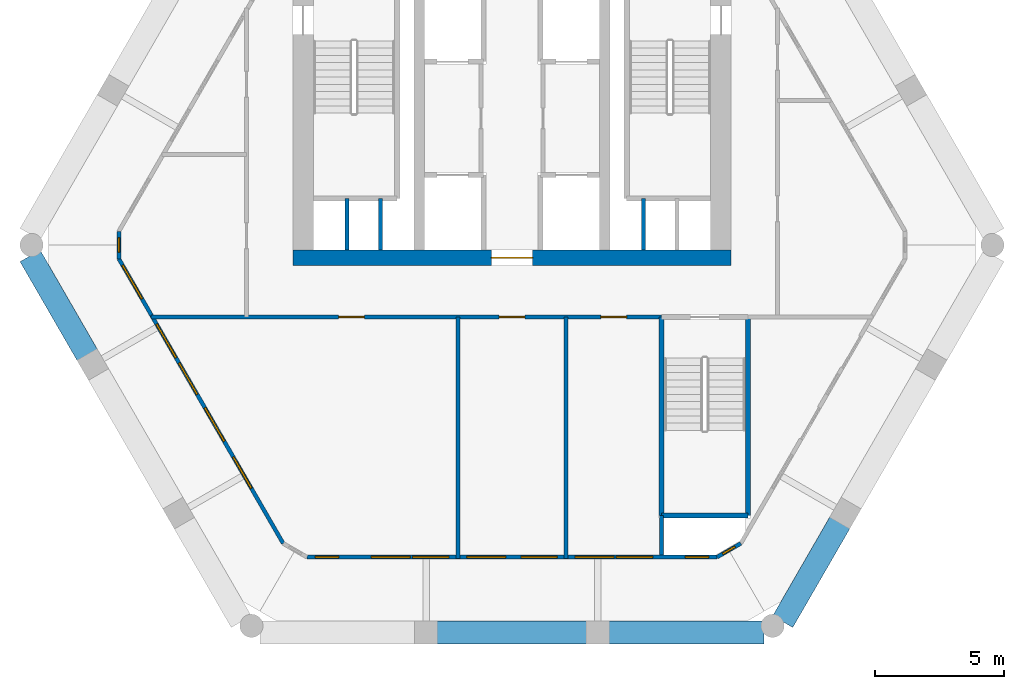
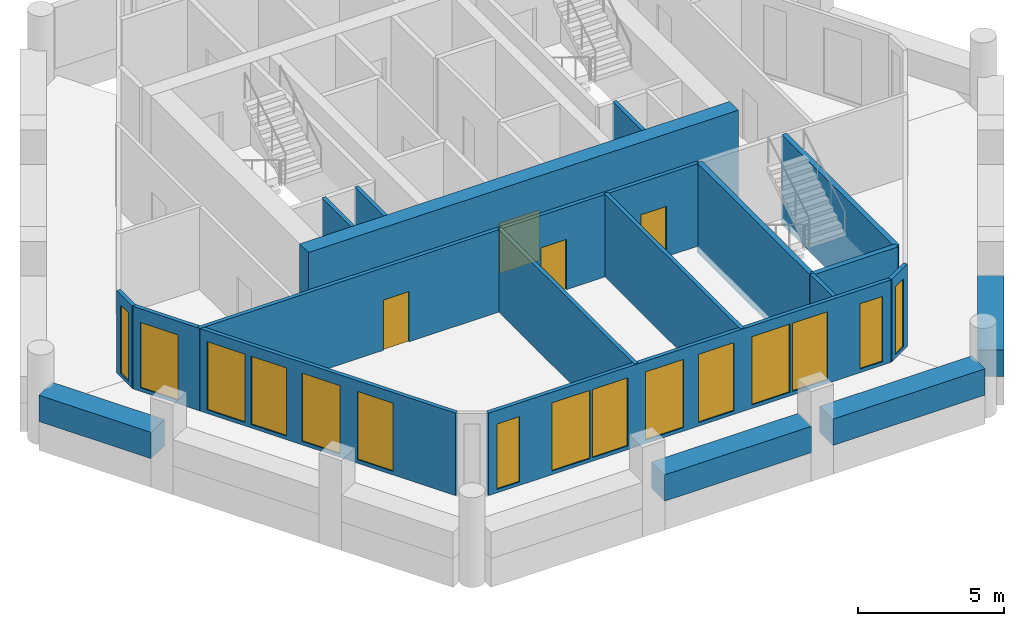
# One storey, part 2 of 6: 19 walls, 15 windows, 4 doors, 19 openings.
"""IFC4 building model written with IfcOpenShell, lengths in metres."""

from ifc_helpers import new_model, si_unit, direction, frame, frame_2d, origin, place, context, subcontext, project, spatial, rectangle, extrude, material, layer, layer_set, type_object, element, fill, save


model = new_model("IFC4")

# Units and contexts
model_context = context("Model", 3, precision=1e-05, world=origin(), true_north=direction((0.0, 1.0)))
body_context = subcontext(model_context, "Body", "Model", "MODEL_VIEW")
ifc_project = project(units=[si_unit("LENGTHUNIT", "METRE"), si_unit("AREAUNIT", "SQUARE_METRE"), si_unit("VOLUMEUNIT", "CUBIC_METRE"), si_unit("PLANEANGLEUNIT", "RADIAN"), si_unit("MASSUNIT", "GRAM", prefix="KILO")], contexts=[model_context])

# Site, building, storey
site_placement = place(None, origin())
site = spatial("IfcSite", under=ifc_project, at=site_placement, CompositionType="ELEMENT")
building_placement = place(site_placement, origin())
building = spatial("IfcBuilding", under=site, at=building_placement, Name="Ostrander Bayou Hotel Tower", CompositionType="ELEMENT")
storey_placement = place(building_placement, frame((0.0, 0.0, 263.75)))
storey = spatial("IfcBuildingStorey", under=building, at=storey_placement, Name="L65", CompositionType="ELEMENT", Elevation=263.75)

# Wall, opening, door
ifc_material_1 = material(Name="Concrete f'c 60 MPa", Category="concrete")
ifc_layer_1 = layer(ifc_material_1, 0.60009765625)
ifc_layer_set_1 = layer_set([ifc_layer_1], Name="CW10 core wall 600 mm f'c 60 MPa")
wall_type_1 = type_object("IfcWallType", Name="CW10 core wall 600 mm f'c 60 MPa", PredefinedType="SHEAR", material=ifc_layer_set_1)
wall_1_placement = place(storey_placement, frame((-8.5, -1.39990234375, -0.300048828125), z_axis=(0.0, 0.0, 1.0), x_axis=(1.0, 0.0, 0.0)))
wall_1 = element("IfcWall", 1, at=wall_1_placement, inside=storey, type_object=wall_type_1, Name="CW10 L65 S", PredefinedType="SHEAR", context=body_context, shape_type="SweptSolid", body=[
    extrude(rectangle(XDim=17.0, YDim=0.60009765625, at=frame_2d((8.5, 0.0))), origin(), (0.0, 0.0, 1.0), 3.75),
])
opening_1_placement = place(wall_1_placement, frame((7.699951171875, 0.0, 0.0)))
opening_1 = element("IfcOpeningElement", 2, at=opening_1_placement, cuts=wall_1, Name="Opening T63-005", PredefinedType="OPENING", context=body_context, shape_type="SweptSolid", body=[
    extrude(rectangle(XDim=1.60009765625, YDim=2.10009765625, at=frame_2d((0.800048828125, 1.050048828125))), frame((0.0, 0.300048828125, 0.0), z_axis=(0.0, -1.0, 0.0), x_axis=(1.0, 0.0, 0.0)), (0.0, 0.0, 1.0), 0.60009765625),
])
ifc_material_2 = material(Name="Timber door leaf", Category="wood")
door_type_1 = type_object("IfcDoorType", Name="D13 double door 1600 x 2100 mm, 1 hour", OperationType="SINGLE_SWING_LEFT", PredefinedType="DOOR", material=ifc_material_2)
door_1_placement = place(opening_1_placement, origin())
door_1 = element("IfcDoor", 3, at=door_1_placement, inside=storey, type_object=door_type_1, Name="dr:L65:005", OperationType="DOUBLE_DOOR_SINGLE_SWING", OverallHeight=2.10009765625, OverallWidth=1.60009765625, PredefinedType="DOOR", context=body_context, shape_type="SweptSolid", body=[
    extrude(rectangle(XDim=1.60009765625, YDim=2.10009765625, at=frame_2d((0.800048828125, 1.050048828125))), frame((0.0, 0.02490234375, 0.0), z_axis=(0.0, -1.0, 0.0), x_axis=(1.0, 0.0, 0.0)), (0.0, 0.0, 1.0), 0.050048828125),
])
fill(opening_1, door_1)

# Wall, openings, windows
ifc_material_3 = material(Name="Aluminium framed insulated wall", Category="aluminium")
ifc_layer_2 = layer(ifc_material_3, 0.14990234375)
ifc_layer_set_2 = layer_set([ifc_layer_2], Name="GW1 glass-line wall 150 mm")
wall_type_2 = type_object("IfcWallType", Name="GW1 glass-line wall 150 mm", PredefinedType="SOLIDWALL", material=ifc_layer_set_2)
wall_2_placement = place(storey_placement, frame((-15.245849609375, -1.443603515625, 0.0), z_axis=(0.0, 0.0, 1.0), x_axis=(0.500005990458, -0.866021945164, 0.0)))
wall_2 = element("IfcWall", 4, at=wall_2_placement, inside=storey, type_object=wall_type_2, Name="GW1 L65 SW 1", PredefinedType="SOLIDWALL", context=body_context, shape_type="SweptSolid", body=[
    extrude(rectangle(XDim=12.745361328125, YDim=0.14990234375, at=frame_2d((6.37255859375, 0.0))), origin(), (0.0, 0.0, 1.0), 3.449951171875),
])
opening_2_placement = place(wall_2_placement, frame((2.9296875, 0.0, 0.14990234375)))
opening_2 = element("IfcOpeningElement", 5, at=opening_2_placement, cuts=wall_2, Name="Opening W4", PredefinedType="OPENING", context=body_context, shape_type="SweptSolid", body=[
    extrude(rectangle(XDim=1.5, YDim=2.85009765625, at=frame_2d((0.75, 1.425048828125))), frame((0.0, 0.074951171875, 0.0), z_axis=(0.0, -1.0, 0.0), x_axis=(1.0, 0.0, 0.0)), (0.0, 0.0, 1.0), 0.14990234375),
])
opening_3_placement = place(wall_2_placement, frame((4.6728515625, 0.0, 0.14990234375)))
opening_3 = element("IfcOpeningElement", 6, at=opening_3_placement, cuts=wall_2, Name="Opening W14", PredefinedType="OPENING", context=body_context, shape_type="SweptSolid", body=[
    extrude(rectangle(XDim=1.39990234375, YDim=2.85009765625, at=frame_2d((0.699951171875, 1.425048828125))), frame((0.0, 0.074951171875, 0.0), z_axis=(0.0, -1.0, 0.0), x_axis=(1.0, 0.0, 0.0)), (0.0, 0.0, 1.0), 0.14990234375),
])
opening_4_placement = place(wall_2_placement, frame((6.6728515625, 0.0, 0.14990234375)))
opening_4 = element("IfcOpeningElement", 7, at=opening_4_placement, cuts=wall_2, Name="Opening W4", PredefinedType="OPENING", context=body_context, shape_type="SweptSolid", body=[
    extrude(rectangle(XDim=1.5, YDim=2.85009765625, at=frame_2d((0.75, 1.425048828125))), frame((0.0, 0.074951171875, 0.0), z_axis=(0.0, -1.0, 0.0), x_axis=(1.0, 0.0, 0.0)), (0.0, 0.0, 1.0), 0.14990234375),
])
opening_5_placement = place(wall_2_placement, frame((8.872802734375, 0.0, 0.14990234375)))
opening_5 = element("IfcOpeningElement", 8, at=opening_5_placement, cuts=wall_2, Name="Opening W14", PredefinedType="OPENING", context=body_context, shape_type="SweptSolid", body=[
    extrude(rectangle(XDim=1.39990234375, YDim=2.85009765625, at=frame_2d((0.699951171875, 1.425048828125))), frame((0.0, 0.074951171875, 0.0), z_axis=(0.0, -1.0, 0.0), x_axis=(1.0, 0.0, 0.0)), (0.0, 0.0, 1.0), 0.14990234375),
])
opening_6_placement = place(wall_2_placement, frame((0.286376953125, 0.0, 0.14990234375)))
opening_6 = element("IfcOpeningElement", 9, at=opening_6_placement, cuts=wall_2, Name="Opening W4", PredefinedType="OPENING", context=body_context, shape_type="SweptSolid", body=[
    extrude(rectangle(XDim=1.5, YDim=2.72998046875, at=frame_2d((0.75, 1.364990234375))), frame((0.0, 0.074951171875, 0.0), z_axis=(0.0, -1.0, 0.0), x_axis=(1.0, 0.0, 0.0)), (0.0, 0.0, 1.0), 0.14990234375),
])
ifc_material_4 = material(Name="Aluminium and clear glass", Category="aluminium")
window_type_1 = type_object("IfcWindowType", Name="W14 fixed window 1400 mm, bath bay, zone 4", PartitioningType="SINGLE_PANEL", PredefinedType="WINDOW", material=ifc_material_4)
window_1_placement = place(opening_3_placement, origin())
window_1 = element("IfcWindow", 10, at=window_1_placement, inside=storey, type_object=window_type_1, Name="W14 L65 SW 1", OverallHeight=2.85009765625, OverallWidth=1.39990234375, PartitioningType="SINGLE_PANEL", PredefinedType="WINDOW", context=body_context, shape_type="SweptSolid", body=[
    extrude(rectangle(XDim=1.39990234375, YDim=2.85009765625, at=frame_2d((0.699951171875, 1.425048828125))), frame((0.0, 0.030029296875, 0.0), z_axis=(0.0, -1.0, 0.0), x_axis=(1.0, 0.0, 0.0)), (0.0, 0.0, 1.0), 0.06005859375),
])
fill(opening_3, window_1)
window_2_placement = place(opening_5_placement, origin())
window_2 = element("IfcWindow", 11, at=window_2_placement, inside=storey, type_object=window_type_1, Name="W14 L65 SW 2", OverallHeight=2.85009765625, OverallWidth=1.39990234375, PartitioningType="SINGLE_PANEL", PredefinedType="WINDOW", context=body_context, shape_type="SweptSolid", body=[
    extrude(rectangle(XDim=1.39990234375, YDim=2.85009765625, at=frame_2d((0.699951171875, 1.425048828125))), frame((0.0, 0.030029296875, 0.0), z_axis=(0.0, -1.0, 0.0), x_axis=(1.0, 0.0, 0.0)), (0.0, 0.0, 1.0), 0.06005859375),
])
fill(opening_5, window_2)
ifc_material_5 = material(Name="Aluminium and clear glass", Category="aluminium")
window_type_2 = type_object("IfcWindowType", Name="W4 fixed window 1500 mm, zone 4", PartitioningType="SINGLE_PANEL", PredefinedType="WINDOW", material=ifc_material_5)
window_3_placement = place(opening_2_placement, origin())
window_3 = element("IfcWindow", 12, at=window_3_placement, inside=storey, type_object=window_type_2, Name="W4 L65 SW 1", OverallHeight=2.85009765625, OverallWidth=1.5, PartitioningType="SINGLE_PANEL", PredefinedType="WINDOW", context=body_context, shape_type="SweptSolid", body=[
    extrude(rectangle(XDim=1.5, YDim=2.85009765625, at=frame_2d((0.75, 1.425048828125))), frame((0.0, 0.030029296875, 0.0), z_axis=(0.0, -1.0, 0.0), x_axis=(1.0, 0.0, 0.0)), (0.0, 0.0, 1.0), 0.06005859375),
])
fill(opening_2, window_3)
window_4_placement = place(opening_4_placement, origin())
window_4 = element("IfcWindow", 13, at=window_4_placement, inside=storey, type_object=window_type_2, Name="W4 L65 SW 2", OverallHeight=2.85009765625, OverallWidth=1.5, PartitioningType="SINGLE_PANEL", PredefinedType="WINDOW", context=body_context, shape_type="SweptSolid", body=[
    extrude(rectangle(XDim=1.5, YDim=2.85009765625, at=frame_2d((0.75, 1.425048828125))), frame((0.0, 0.030029296875, 0.0), z_axis=(0.0, -1.0, 0.0), x_axis=(1.0, 0.0, 0.0)), (0.0, 0.0, 1.0), 0.06005859375),
])
fill(opening_4, window_4)
window_5_placement = place(opening_6_placement, origin())
window_5 = element("IfcWindow", 14, at=window_5_placement, inside=storey, type_object=window_type_2, Name="W4 L65 SW E11", OverallHeight=2.72998046875, OverallWidth=1.5, PartitioningType="SINGLE_PANEL", PredefinedType="WINDOW", context=body_context, shape_type="SweptSolid", body=[
    extrude(rectangle(XDim=1.5, YDim=2.72998046875, at=frame_2d((0.75, 1.364990234375))), frame((0.0, 0.030029296875, 0.0), z_axis=(0.0, -1.0, 0.0), x_axis=(1.0, 0.0, 0.0)), (0.0, 0.0, 1.0), 0.06005859375),
])
fill(opening_6, window_5)

wall_3_placement = place(storey_placement, frame((-7.95068359375, -13.013916015625, 0.0), z_axis=(0.0, 0.0, 1.0), x_axis=(1.0, 0.0, 0.0)))
wall_3 = element("IfcWall", 15, at=wall_3_placement, inside=storey, type_object=wall_type_2, Name="GW1 L65 S 1", PredefinedType="SOLIDWALL", context=body_context, shape_type="SweptSolid", body=[
    extrude(rectangle(XDim=15.9013671875, YDim=0.14990234375, at=frame_2d((7.95068359375, 0.0))), origin(), (0.0, 0.0, 1.0), 3.449951171875),
])
opening_7_placement = place(wall_3_placement, frame((2.500732421875, 0.0, 0.14990234375)))
opening_7 = element("IfcOpeningElement", 16, at=opening_7_placement, cuts=wall_3, Name="Opening W4", PredefinedType="OPENING", context=body_context, shape_type="SweptSolid", body=[
    extrude(rectangle(XDim=1.5, YDim=2.85009765625, at=frame_2d((0.75, 1.425048828125))), frame((0.0, 0.074951171875, 0.0), z_axis=(0.0, -1.0, 0.0), x_axis=(1.0, 0.0, 0.0)), (0.0, 0.0, 1.0), 0.14990234375),
])
opening_8_placement = place(wall_3_placement, frame((4.1005859375, 0.0, 0.14990234375)))
opening_8 = element("IfcOpeningElement", 17, at=opening_8_placement, cuts=wall_3, Name="Opening W14", PredefinedType="OPENING", context=body_context, shape_type="SweptSolid", body=[
    extrude(rectangle(XDim=1.39990234375, YDim=2.85009765625, at=frame_2d((0.699951171875, 1.425048828125))), frame((0.0, 0.074951171875, 0.0), z_axis=(0.0, -1.0, 0.0), x_axis=(1.0, 0.0, 0.0)), (0.0, 0.0, 1.0), 0.14990234375),
])
opening_9_placement = place(wall_3_placement, frame((6.20068359375, 0.0, 0.14990234375)))
opening_9 = element("IfcOpeningElement", 18, at=opening_9_placement, cuts=wall_3, Name="Opening W4", PredefinedType="OPENING", context=body_context, shape_type="SweptSolid", body=[
    extrude(rectangle(XDim=1.5, YDim=2.85009765625, at=frame_2d((0.75, 1.425048828125))), frame((0.0, 0.074951171875, 0.0), z_axis=(0.0, -1.0, 0.0), x_axis=(1.0, 0.0, 0.0)), (0.0, 0.0, 1.0), 0.14990234375),
])
opening_10_placement = place(wall_3_placement, frame((8.30078125, 0.0, 0.14990234375)))
opening_10 = element("IfcOpeningElement", 19, at=opening_10_placement, cuts=wall_3, Name="Opening W14", PredefinedType="OPENING", context=body_context, shape_type="SweptSolid", body=[
    extrude(rectangle(XDim=1.39990234375, YDim=2.85009765625, at=frame_2d((0.699951171875, 1.425048828125))), frame((0.0, 0.074951171875, 0.0), z_axis=(0.0, -1.0, 0.0), x_axis=(1.0, 0.0, 0.0)), (0.0, 0.0, 1.0), 0.14990234375),
])
opening_11_placement = place(wall_3_placement, frame((10.400634765625, 0.0, 0.14990234375)))
opening_11 = element("IfcOpeningElement", 20, at=opening_11_placement, cuts=wall_3, Name="Opening W4", PredefinedType="OPENING", context=body_context, shape_type="SweptSolid", body=[
    extrude(rectangle(XDim=1.5, YDim=2.85009765625, at=frame_2d((0.75, 1.425048828125))), frame((0.0, 0.074951171875, 0.0), z_axis=(0.0, -1.0, 0.0), x_axis=(1.0, 0.0, 0.0)), (0.0, 0.0, 1.0), 0.14990234375),
])
opening_12_placement = place(wall_3_placement, frame((12.000732421875, 0.0, 0.14990234375)))
opening_12 = element("IfcOpeningElement", 21, at=opening_12_placement, cuts=wall_3, Name="Opening W14", PredefinedType="OPENING", context=body_context, shape_type="SweptSolid", body=[
    extrude(rectangle(XDim=1.39990234375, YDim=2.85009765625, at=frame_2d((0.699951171875, 1.425048828125))), frame((0.0, 0.074951171875, 0.0), z_axis=(0.0, -1.0, 0.0), x_axis=(1.0, 0.0, 0.0)), (0.0, 0.0, 1.0), 0.14990234375),
])
opening_13_placement = place(wall_3_placement, frame((0.3251953125, 0.0, 0.14990234375)))
opening_13 = element("IfcOpeningElement", 22, at=opening_13_placement, cuts=wall_3, Name="Opening W18", PredefinedType="OPENING", context=body_context, shape_type="SweptSolid", body=[
    extrude(rectangle(XDim=0.89990234375, YDim=2.72998046875, at=frame_2d((0.449951171875, 1.364990234375))), frame((0.0, 0.074951171875, 0.0), z_axis=(0.0, -1.0, 0.0), x_axis=(1.0, 0.0, 0.0)), (0.0, 0.0, 1.0), 0.14990234375),
])
opening_14_placement = place(wall_3_placement, frame((14.676025390625, 0.0, 0.14990234375)))
opening_14 = element("IfcOpeningElement", 23, at=opening_14_placement, cuts=wall_3, Name="Opening W18", PredefinedType="OPENING", context=body_context, shape_type="SweptSolid", body=[
    extrude(rectangle(XDim=0.89990234375, YDim=2.72998046875, at=frame_2d((0.449951171875, 1.364990234375))), frame((0.0, 0.074951171875, 0.0), z_axis=(0.0, -1.0, 0.0), x_axis=(1.0, 0.0, 0.0)), (0.0, 0.0, 1.0), 0.14990234375),
])
window_6_placement = place(opening_8_placement, origin())
window_6 = element("IfcWindow", 24, at=window_6_placement, inside=storey, type_object=window_type_1, Name="W14 L65 S 1", OverallHeight=2.85009765625, OverallWidth=1.39990234375, PartitioningType="SINGLE_PANEL", PredefinedType="WINDOW", context=body_context, shape_type="SweptSolid", body=[
    extrude(rectangle(XDim=1.39990234375, YDim=2.85009765625, at=frame_2d((0.699951171875, 1.425048828125))), frame((0.0, 0.030029296875, 0.0), z_axis=(0.0, -1.0, 0.0), x_axis=(1.0, 0.0, 0.0)), (0.0, 0.0, 1.0), 0.06005859375),
])
fill(opening_8, window_6)
window_7_placement = place(opening_10_placement, origin())
window_7 = element("IfcWindow", 25, at=window_7_placement, inside=storey, type_object=window_type_1, Name="W14 L65 S 2", OverallHeight=2.85009765625, OverallWidth=1.39990234375, PartitioningType="SINGLE_PANEL", PredefinedType="WINDOW", context=body_context, shape_type="SweptSolid", body=[
    extrude(rectangle(XDim=1.39990234375, YDim=2.85009765625, at=frame_2d((0.699951171875, 1.425048828125))), frame((0.0, 0.030029296875, 0.0), z_axis=(0.0, -1.0, 0.0), x_axis=(1.0, 0.0, 0.0)), (0.0, 0.0, 1.0), 0.06005859375),
])
fill(opening_10, window_7)
window_8_placement = place(opening_12_placement, origin())
window_8 = element("IfcWindow", 26, at=window_8_placement, inside=storey, type_object=window_type_1, Name="W14 L65 S 3", OverallHeight=2.85009765625, OverallWidth=1.39990234375, PartitioningType="SINGLE_PANEL", PredefinedType="WINDOW", context=body_context, shape_type="SweptSolid", body=[
    extrude(rectangle(XDim=1.39990234375, YDim=2.85009765625, at=frame_2d((0.699951171875, 1.425048828125))), frame((0.0, 0.030029296875, 0.0), z_axis=(0.0, -1.0, 0.0), x_axis=(1.0, 0.0, 0.0)), (0.0, 0.0, 1.0), 0.06005859375),
])
fill(opening_12, window_8)
ifc_material_6 = material(Name="Aluminium and clear glass", Category="aluminium")
window_type_3 = type_object("IfcWindowType", Name="W18 window 900 mm, zone 4", PartitioningType="SINGLE_PANEL", PredefinedType="WINDOW", material=ifc_material_6)
window_9_placement = place(opening_13_placement, origin())
window_9 = element("IfcWindow", 27, at=window_9_placement, inside=storey, type_object=window_type_3, Name="W18 L65 S E11", OverallHeight=2.72998046875, OverallWidth=0.89990234375, PartitioningType="SINGLE_PANEL", PredefinedType="WINDOW", context=body_context, shape_type="SweptSolid", body=[
    extrude(rectangle(XDim=0.89990234375, YDim=2.72998046875, at=frame_2d((0.449951171875, 1.364990234375))), frame((0.0, 0.030029296875, 0.0), z_axis=(0.0, -1.0, 0.0), x_axis=(1.0, 0.0, 0.0)), (0.0, 0.0, 1.0), 0.06005859375),
])
fill(opening_13, window_9)
window_10_placement = place(opening_14_placement, origin())
window_10 = element("IfcWindow", 28, at=window_10_placement, inside=storey, type_object=window_type_3, Name="W18 L65 S E21", OverallHeight=2.72998046875, OverallWidth=0.89990234375, PartitioningType="SINGLE_PANEL", PredefinedType="WINDOW", context=body_context, shape_type="SweptSolid", body=[
    extrude(rectangle(XDim=0.89990234375, YDim=2.72998046875, at=frame_2d((0.449951171875, 1.364990234375))), frame((0.0, 0.030029296875, 0.0), z_axis=(0.0, -1.0, 0.0), x_axis=(1.0, 0.0, 0.0)), (0.0, 0.0, 1.0), 0.06005859375),
])
fill(opening_14, window_10)
window_11_placement = place(opening_7_placement, origin())
window_11 = element("IfcWindow", 29, at=window_11_placement, inside=storey, type_object=window_type_2, Name="W4 L65 S 1", OverallHeight=2.85009765625, OverallWidth=1.5, PartitioningType="SINGLE_PANEL", PredefinedType="WINDOW", context=body_context, shape_type="SweptSolid", body=[
    extrude(rectangle(XDim=1.5, YDim=2.85009765625, at=frame_2d((0.75, 1.425048828125))), frame((0.0, 0.030029296875, 0.0), z_axis=(0.0, -1.0, 0.0), x_axis=(1.0, 0.0, 0.0)), (0.0, 0.0, 1.0), 0.06005859375),
])
fill(opening_7, window_11)
window_12_placement = place(opening_9_placement, origin())
window_12 = element("IfcWindow", 30, at=window_12_placement, inside=storey, type_object=window_type_2, Name="W4 L65 S 2", OverallHeight=2.85009765625, OverallWidth=1.5, PartitioningType="SINGLE_PANEL", PredefinedType="WINDOW", context=body_context, shape_type="SweptSolid", body=[
    extrude(rectangle(XDim=1.5, YDim=2.85009765625, at=frame_2d((0.75, 1.425048828125))), frame((0.0, 0.030029296875, 0.0), z_axis=(0.0, -1.0, 0.0), x_axis=(1.0, 0.0, 0.0)), (0.0, 0.0, 1.0), 0.06005859375),
])
fill(opening_9, window_12)
window_13_placement = place(opening_11_placement, origin())
window_13 = element("IfcWindow", 31, at=window_13_placement, inside=storey, type_object=window_type_2, Name="W4 L65 S 3", OverallHeight=2.85009765625, OverallWidth=1.5, PartitioningType="SINGLE_PANEL", PredefinedType="WINDOW", context=body_context, shape_type="SweptSolid", body=[
    extrude(rectangle(XDim=1.5, YDim=2.85009765625, at=frame_2d((0.75, 1.425048828125))), frame((0.0, 0.030029296875, 0.0), z_axis=(0.0, -1.0, 0.0), x_axis=(1.0, 0.0, 0.0)), (0.0, 0.0, 1.0), 0.06005859375),
])
fill(opening_11, window_13)

# Wall, opening, window
wall_4_placement = place(storey_placement, frame((-15.245849609375, -0.37841796875, 0.0), z_axis=(0.0, 0.0, 1.0), x_axis=(0.0, -1.0, 0.0)))
wall_4 = element("IfcWall", 32, at=wall_4_placement, inside=storey, type_object=wall_type_2, Name="GW1 L65 corner 2", PredefinedType="SOLIDWALL", context=body_context, shape_type="SweptSolid", body=[
    extrude(rectangle(XDim=1.065185546875, YDim=0.14990234375, at=frame_2d((0.53271484375, 0.0))), origin(), (0.0, 0.0, 1.0), 3.449951171875),
])
opening_15_placement = place(wall_4_placement, frame((0.257568359375, 0.0, 0.14990234375)))
opening_15 = element("IfcOpeningElement", 33, at=opening_15_placement, cuts=wall_4, Name="Opening W19", PredefinedType="OPENING", context=body_context, shape_type="SweptSolid", body=[
    extrude(rectangle(XDim=0.550048828125, YDim=2.85009765625, at=frame_2d((0.27490234375, 1.425048828125))), frame((0.0, 0.074951171875, 0.0), z_axis=(0.0, -1.0, 0.0), x_axis=(1.0, 0.0, 0.0)), (0.0, 0.0, 1.0), 0.14990234375),
])
ifc_material_7 = material(Name="Aluminium and clear glass", Category="aluminium")
window_type_4 = type_object("IfcWindowType", Name="W19 corner window 550 mm", PartitioningType="SINGLE_PANEL", PredefinedType="WINDOW", material=ifc_material_7)
window_14_placement = place(opening_15_placement, origin())
window_14 = element("IfcWindow", 34, at=window_14_placement, inside=storey, type_object=window_type_4, Name="W19 L65 corner 2", OverallHeight=2.85009765625, OverallWidth=0.550048828125, PartitioningType="SINGLE_PANEL", PredefinedType="WINDOW", context=body_context, shape_type="SweptSolid", body=[
    extrude(rectangle(XDim=0.550048828125, YDim=2.85009765625, at=frame_2d((0.27490234375, 1.425048828125))), frame((0.0, 0.030029296875, 0.0), z_axis=(0.0, -1.0, 0.0), x_axis=(1.0, 0.0, 0.0)), (0.0, 0.0, 1.0), 0.06005859375),
])
fill(opening_15, window_14)

wall_5_placement = place(storey_placement, frame((7.95068359375, -13.013916015625, 0.0), z_axis=(0.0, 0.0, 1.0), x_axis=(0.866048165231, 0.499960573946, 0.0)))
wall_5 = element("IfcWall", 35, at=wall_5_placement, inside=storey, type_object=wall_type_2, Name="GW1 L65 corner 4", PredefinedType="SOLIDWALL", context=body_context, shape_type="SweptSolid", body=[
    extrude(rectangle(XDim=1.06494140625, YDim=0.14990234375, at=frame_2d((0.532470703125, 0.0))), origin(), (0.0, 0.0, 1.0), 3.449951171875),
])
opening_16_placement = place(wall_5_placement, frame((0.257568359375, 0.0, 0.14990234375)))
opening_16 = element("IfcOpeningElement", 36, at=opening_16_placement, cuts=wall_5, Name="Opening W19", PredefinedType="OPENING", context=body_context, shape_type="SweptSolid", body=[
    extrude(rectangle(XDim=0.550048828125, YDim=2.85009765625, at=frame_2d((0.27490234375, 1.425048828125))), frame((0.0, 0.074951171875, 0.0), z_axis=(0.0, -1.0, 0.0), x_axis=(1.0, 0.0, 0.0)), (0.0, 0.0, 1.0), 0.14990234375),
])
window_15_placement = place(opening_16_placement, origin())
window_15 = element("IfcWindow", 37, at=window_15_placement, inside=storey, type_object=window_type_4, Name="W19 L65 corner 4", OverallHeight=2.85009765625, OverallWidth=0.550048828125, PartitioningType="SINGLE_PANEL", PredefinedType="WINDOW", context=body_context, shape_type="SweptSolid", body=[
    extrude(rectangle(XDim=0.550048828125, YDim=2.85009765625, at=frame_2d((0.27490234375, 1.425048828125))), frame((0.0, 0.030029296875, 0.0), z_axis=(0.0, -1.0, 0.0), x_axis=(1.0, 0.0, 0.0)), (0.0, 0.0, 1.0), 0.06005859375),
])
fill(opening_16, window_15)

# Walls
ifc_material_8 = material(Name="Concrete f'c 40 MPa", Category="concrete")
ifc_layer_3 = layer(ifc_material_8, 0.89990234375)
ifc_layer_set_3 = layer_set([ifc_layer_3], Name="PA1 stone-faced parapet 900 mm")
wall_type_3 = type_object("IfcWallType", Name="PA1 stone-faced parapet 900 mm", PredefinedType="PARAPET", material=ifc_layer_set_3)
wall_6_placement = place(storey_placement, frame((-2.909423828125, -15.93896484375, 0.0), z_axis=(0.0, 0.0, 1.0), x_axis=(1.0, 0.0, 0.0)))
element("IfcWall", 38, at=wall_6_placement, inside=storey, type_object=wall_type_3, Name="PA1 L65 S-2", PredefinedType="PARAPET", context=body_context, shape_type="SweptSolid", body=[
    extrude(rectangle(XDim=5.81884765625, YDim=0.89990234375, at=frame_2d((2.909423828125, 0.0))), origin(), (0.0, 0.0, 1.0), 1.10009765625),
])
wall_7_placement = place(storey_placement, frame((3.74951171875, -15.93896484375, 0.0), z_axis=(0.0, 0.0, 1.0), x_axis=(1.0, 0.0, 0.0)))
element("IfcWall", 39, at=wall_7_placement, inside=storey, type_object=wall_type_3, Name="PA1 L65 S-3", PredefinedType="PARAPET", context=body_context, shape_type="SweptSolid", body=[
    extrude(rectangle(XDim=6.017578125, YDim=0.89990234375, at=frame_2d((3.0087890625, 0.0))), origin(), (0.0, 0.0, 1.0), 1.10009765625),
])
ifc_material_9 = material(Name="Limestone masonry", Category="masonry")
ifc_layer_4 = layer(ifc_material_9, 0.89990234375)
ifc_layer_set_4 = layer_set([ifc_layer_4], Name="PA2 limestone parapet 900 mm")
wall_type_4 = type_object("IfcWallType", Name="PA2 limestone parapet 900 mm", PredefinedType="PARAPET", material=ifc_layer_set_4)
wall_8_placement = place(storey_placement, frame((-18.68701171875, -1.3330078125, 0.0), z_axis=(0.0, 0.0, 1.0), x_axis=(0.499971567444, -0.866041818706, 0.0)))
element("IfcWall", 40, at=wall_8_placement, inside=storey, type_object=wall_type_4, Name="PA2 L65 SW-1", PredefinedType="PARAPET", context=body_context, shape_type="SweptSolid", body=[
    extrude(rectangle(XDim=4.439697265625, YDim=0.89990234375, at=frame_2d((2.2197265625, 0.0))), origin(), (0.0, 0.0, 1.0), 1.10009765625),
])
wall_9_placement = place(storey_placement, frame((10.497802734375, -15.51708984375, 0.0), z_axis=(0.0, 0.0, 1.0), x_axis=(0.500012810012, 0.866018007794, 0.0)))
element("IfcWall", 41, at=wall_9_placement, inside=storey, type_object=wall_type_4, Name="PA2 L65 SE-1", PredefinedType="PARAPET", context=body_context, shape_type="SweptSolid", body=[
    extrude(rectangle(XDim=4.43994140625, YDim=0.89990234375, at=frame_2d((2.219970703125, 0.0))), origin(), (0.0, 0.0, 1.0), 1.10009765625),
])
ifc_material_10 = material(Name="Gypsum board partition", Category="finish")
ifc_layer_5 = layer(ifc_material_10, 0.14990234375)
ifc_layer_set_5 = layer_set([ifc_layer_5], Name="PT7 riser wall 150 mm, 2 hour")
wall_type_5 = type_object("IfcWallType", Name="PT7 riser wall 150 mm, 2 hour", PredefinedType="PARTITIONING", material=ifc_layer_set_5)
for number, where, z_axis, x_axis, name in (
    (42, (-6.39990234375, -1.10009765625, 0.0), (0.0, 0.0, 1.0), (0.0, 1.0, 0.0), "cs:L65:011"),
    (43, (-5.10009765625, -1.10009765625, 0.0), (0.0, 0.0, 1.0), (0.0, 1.0, 0.0), "cs:L65:012"),
    (44, (5.10009765625, -1.10009765625, 0.0), (0.0, 0.0, 1.0), (0.0, 1.0, 0.0), "cs:L65:015"),
):
    element("IfcWall", number, at=place(storey_placement, frame(where, z_axis=z_axis, x_axis=x_axis)), inside=storey, type_object=wall_type_5, Name=name, PredefinedType="PARTITIONING", context=body_context, shape_type="SweptSolid", body=[
        extrude(rectangle(XDim=2.0, YDim=0.14990234375, at=frame_2d((1.0, 0.0))), origin(), (0.0, 0.0, 1.0), 3.449951171875),
    ])
wall_10_placement = place(storey_placement, frame((5.800048828125, -11.39990234375, 0.0), z_axis=(0.0, 0.0, 1.0), x_axis=(0.0, -1.0, 0.0)))
element("IfcWall", 45, at=wall_10_placement, inside=storey, type_object=wall_type_5, Name="cs:L65:021", PredefinedType="PARTITIONING", context=body_context, shape_type="SweptSolid", body=[
    extrude(rectangle(XDim=1.5390625, YDim=0.14990234375, at=frame_2d((0.76953125, 0.0))), origin(), (0.0, 0.0, 1.0), 3.449951171875),
])

# Wall, openings, doors
ifc_material_11 = material(Name="Gypsum board partition", Category="finish")
ifc_layer_6 = layer(ifc_material_11, 0.14990234375)
ifc_layer_set_6 = layer_set([ifc_layer_6], Name="PT8 service band wall 150 mm, 1 hour")
wall_type_6 = type_object("IfcWallType", Name="PT8 service band wall 150 mm, 1 hour", PredefinedType="PARTITIONING", material=ifc_layer_set_6)
wall_11_placement = place(storey_placement, frame((-13.9951171875, -3.699951171875, 0.0), z_axis=(0.0, 0.0, 1.0), x_axis=(1.0, 0.0, 0.0)))
wall_11 = element("IfcWall", 46, at=wall_11_placement, inside=storey, type_object=wall_type_6, Name="gw:L65:001", PredefinedType="PARTITIONING", context=body_context, shape_type="SweptSolid", body=[
    extrude(rectangle(XDim=19.78515625, YDim=0.14990234375, at=frame_2d((9.892578125, 0.0))), origin(), (0.0, 0.0, 1.0), 3.449951171875),
])
opening_17_placement = place(wall_11_placement, frame((13.4951171875, 0.0, 0.0)))
opening_17 = element("IfcOpeningElement", 47, at=opening_17_placement, cuts=wall_11, Name="Opening T63-400", PredefinedType="OPENING", context=body_context, shape_type="SweptSolid", body=[
    extrude(rectangle(XDim=1.0, YDim=2.10009765625, at=frame_2d((0.5, 1.050048828125))), frame((0.0, 0.074951171875, 0.0), z_axis=(0.0, -1.0, 0.0), x_axis=(1.0, 0.0, 0.0)), (0.0, 0.0, 1.0), 0.14990234375),
])
opening_18_placement = place(wall_11_placement, frame((7.27001953125, 0.0, 0.0)))
opening_18 = element("IfcOpeningElement", 48, at=opening_18_placement, cuts=wall_11, Name="Opening T63-401", PredefinedType="OPENING", context=body_context, shape_type="SweptSolid", body=[
    extrude(rectangle(XDim=1.0, YDim=2.10009765625, at=frame_2d((0.5, 1.050048828125))), frame((0.0, 0.074951171875, 0.0), z_axis=(0.0, -1.0, 0.0), x_axis=(1.0, 0.0, 0.0)), (0.0, 0.0, 1.0), 0.14990234375),
])
opening_19_placement = place(wall_11_placement, frame((17.445068359375, 0.0, 0.0)))
opening_19 = element("IfcOpeningElement", 49, at=opening_19_placement, cuts=wall_11, Name="Opening T63-402", PredefinedType="OPENING", context=body_context, shape_type="SweptSolid", body=[
    extrude(rectangle(XDim=1.0, YDim=2.10009765625, at=frame_2d((0.5, 1.050048828125))), frame((0.0, 0.074951171875, 0.0), z_axis=(0.0, -1.0, 0.0), x_axis=(1.0, 0.0, 0.0)), (0.0, 0.0, 1.0), 0.14990234375),
])
ifc_material_12 = material(Name="Timber door leaf", Category="wood")
door_type_2 = type_object("IfcDoorType", Name="D15 room door 1000 x 2100 mm", OperationType="SINGLE_SWING_LEFT", PredefinedType="DOOR", material=ifc_material_12)
door_2_placement = place(opening_17_placement, origin())
door_2 = element("IfcDoor", 50, at=door_2_placement, inside=storey, type_object=door_type_2, Name="dr:L65:400", OperationType="SINGLE_SWING_LEFT", OverallHeight=2.10009765625, OverallWidth=1.0, PredefinedType="DOOR", context=body_context, shape_type="SweptSolid", body=[
    extrude(rectangle(XDim=1.0, YDim=2.10009765625, at=frame_2d((0.5, 1.050048828125))), frame((0.0, 0.02490234375, 0.0), z_axis=(0.0, -1.0, 0.0), x_axis=(1.0, 0.0, 0.0)), (0.0, 0.0, 1.0), 0.050048828125),
])
fill(opening_17, door_2)
door_3_placement = place(opening_18_placement, origin())
door_3 = element("IfcDoor", 51, at=door_3_placement, inside=storey, type_object=door_type_2, Name="dr:L65:401", OperationType="SINGLE_SWING_RIGHT", OverallHeight=2.10009765625, OverallWidth=1.0, PredefinedType="DOOR", context=body_context, shape_type="SweptSolid", body=[
    extrude(rectangle(XDim=1.0, YDim=2.10009765625, at=frame_2d((0.5, 1.050048828125))), frame((0.0, 0.02490234375, 0.0), z_axis=(0.0, -1.0, 0.0), x_axis=(1.0, 0.0, 0.0)), (0.0, 0.0, 1.0), 0.050048828125),
])
fill(opening_18, door_3)
ifc_material_13 = material(Name="Timber door leaf", Category="wood")
door_type_3 = type_object("IfcDoorType", Name="D9 service door 1000 x 2100 mm, 30 minute", OperationType="SINGLE_SWING_LEFT", PredefinedType="DOOR", material=ifc_material_13)
door_4_placement = place(opening_19_placement, origin())
door_4 = element("IfcDoor", 52, at=door_4_placement, inside=storey, type_object=door_type_3, Name="dr:L65:402", OperationType="SINGLE_SWING_LEFT", OverallHeight=2.10009765625, OverallWidth=1.0, PredefinedType="DOOR", context=body_context, shape_type="SweptSolid", body=[
    extrude(rectangle(XDim=1.0, YDim=2.10009765625, at=frame_2d((0.5, 1.050048828125))), frame((0.0, 0.02490234375, 0.0), z_axis=(0.0, -1.0, 0.0), x_axis=(1.0, 0.0, 0.0)), (0.0, 0.0, 1.0), 0.050048828125),
])
fill(opening_19, door_4)

# Walls
for number, where, z_axis, x_axis, name in (
    (53, (2.10009765625, -13.05908203125, 0.0), (0.0, 0.0, 1.0), (0.0, 1.0, 0.0), "gw:L65:007"),
    (54, (-2.10009765625, -13.05908203125, 0.0), (0.0, 0.0, 1.0), (0.0, 1.0, 0.0), "gw:L65:008"),
):
    element("IfcWall", number, at=place(storey_placement, frame(where, z_axis=z_axis, x_axis=x_axis)), inside=storey, type_object=wall_type_6, Name=name, PredefinedType="PARTITIONING", context=body_context, shape_type="SweptSolid", body=[
        extrude(rectangle(XDim=9.359130859375, YDim=0.14990234375, at=frame_2d((4.6796875, 0.0))), origin(), (0.0, 0.0, 1.0), 3.449951171875),
    ])
ifc_material_14 = material(Name="Concrete f'c 45 MPa", Category="concrete")
ifc_layer_7 = layer(ifc_material_14, 0.199951171875)
ifc_layer_set_7 = layer_set([ifc_layer_7], Name="SW5 stair enclosure wall 200 mm f'c 45 MPa")
wall_type_7 = type_object("IfcWallType", Name="SW5 stair enclosure wall 200 mm f'c 45 MPa", PredefinedType="SOLIDWALL", material=ifc_layer_set_7)
for number, where, z_axis, x_axis, name in (
    (55, (5.800048828125, -3.699951171875, -0.300048828125), (0.0, 0.0, 1.0), (0.0, -1.0, 0.0), "cs:L65:018"),
    (56, (9.14990234375, -3.699951171875, -0.300048828125), (0.0, 0.0, 1.0), (0.0, -1.0, 0.0), "cs:L65:019"),
):
    element("IfcWall", number, at=place(storey_placement, frame(where, z_axis=z_axis, x_axis=x_axis)), inside=storey, type_object=wall_type_7, Name=name, PredefinedType="SOLIDWALL", context=body_context, shape_type="SweptSolid", body=[
        extrude(rectangle(XDim=7.699951171875, YDim=0.199951171875, at=frame_2d((3.85009765625, 0.0))), origin(), (0.0, 0.0, 1.0), 3.75),
    ])
wall_12_placement = place(storey_placement, frame((5.800048828125, -11.39990234375, -0.300048828125), z_axis=(0.0, 0.0, 1.0), x_axis=(1.0, 0.0, 0.0)))
element("IfcWall", 57, at=wall_12_placement, inside=storey, type_object=wall_type_7, Name="cs:L65:020", PredefinedType="SOLIDWALL", context=body_context, shape_type="SweptSolid", body=[
    extrude(rectangle(XDim=3.349853515625, YDim=0.199951171875, at=frame_2d((1.6748046875, 0.0))), origin(), (0.0, 0.0, 1.0), 3.75),
])

save(model, "model.ifc")
